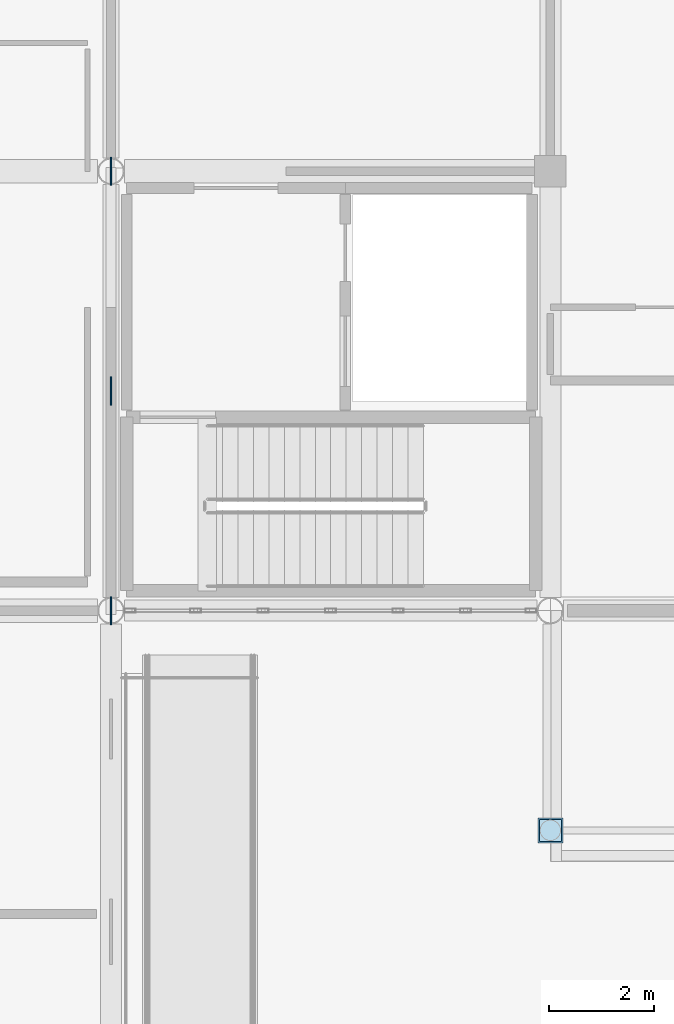
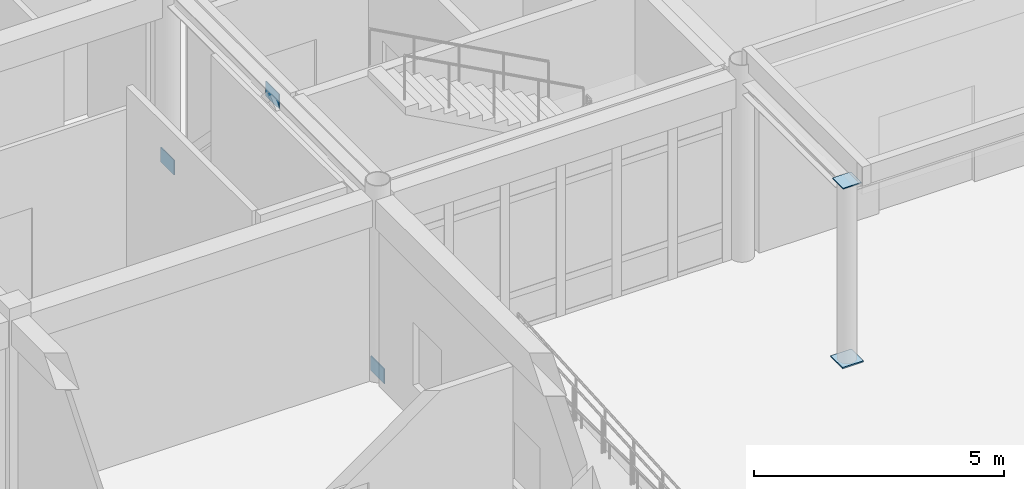
# One storey, part 84 of 138: 5 plates.
"""IFC4 building model written with IfcOpenShell, lengths in metres."""

import ifcopenshell
import ifcopenshell.guid

model = None  # the IFC model being written
_history = None  # IfcOwnerHistory: only IFC2X3 demands one
_inside = {}  # id of a spatial element -> (the spatial element, [elements in it])
_under = {}  # id of a project, library or spatial element -> (it, [spatial elements below it])
_declared = {}  # id of a project -> (the project, [libraries it declares])
_typed = {}  # id of a type object -> (the type object, [elements of that type])
_made_of = {}  # id of a material, layer set ... -> (it, [elements and type objects made of it])


def new_model(schema):
    """Start an empty IFC model of exactly this schema.

    Asked for "IFC4X3", IfcOpenShell would pick the latest addendum, in which some entities
    have other attributes; the version numbers below select the first issue.
    IFC2X3 requires an IfcOwnerHistory on every rooted entity: one is made here for all.
    """
    global model, _history
    if schema == "IFC4X3":
        model = ifcopenshell.file(schema_version=(4, 3, 0, 0))
    else:
        model = ifcopenshell.file(schema=schema)
    _inside.clear()
    _under.clear()
    _declared.clear()
    _typed.clear()
    _made_of.clear()
    _history = None
    if model.schema == "IFC2X3":
        org = make("IfcOrganization", Name="unknown")
        user = make(
            "IfcPersonAndOrganization",
            ThePerson=make("IfcPerson", FamilyName="unknown"),
            TheOrganization=org,
        )
        app = make(
            "IfcApplication",
            ApplicationDeveloper=org,
            Version="unknown",
            ApplicationFullName="unknown",
            ApplicationIdentifier="unknown",
        )
        _history = make(
            "IfcOwnerHistory",
            OwningUser=user,
            OwningApplication=app,
            ChangeAction="ADDED",
            CreationDate=0,
        )
    return model


def make(cls, **values):
    """One entity of the class cls with the attributes given. An attribute that is None is left unset."""
    return model.create_entity(
        cls, **{name: value for name, value in values.items() if value is not None}
    )


def rooted(cls, **values):
    """An entity with a GlobalId (a new one), such as an element, a storey or a relation."""
    return make(cls, GlobalId=ifcopenshell.guid.new(), OwnerHistory=_history, **values)


def si_unit(unit_type, name, prefix=None):
    """IfcSIUnit, for example si_unit("LENGTHUNIT", "METRE", prefix="MILLI")."""
    return make("IfcSIUnit", UnitType=unit_type, Prefix=prefix, Name=name)


def assignment(units):
    """IfcUnitAssignment: the units of a project."""
    return None if units is None else make("IfcUnitAssignment", Units=units)


def point(xyz):
    """IfcCartesianPoint."""
    return None if xyz is None else make("IfcCartesianPoint", Coordinates=xyz)


def direction(xyz):
    """IfcDirection."""
    return None if xyz is None else make("IfcDirection", DirectionRatios=xyz)


def frame(location, z_axis=None, x_axis=None):
    """IfcAxis2Placement3D, a coordinate frame: its origin and axes. An axis left out is left unset."""
    return make(
        "IfcAxis2Placement3D",
        Location=point(location),
        Axis=direction(z_axis),
        RefDirection=direction(x_axis),
    )


def frame_2d(location, x_axis=None):
    """IfcAxis2Placement2D, a coordinate frame in the plane: its origin and x axis."""
    return make(
        "IfcAxis2Placement2D", Location=point(location), RefDirection=direction(x_axis)
    )


def origin():
    """The frame at (0, 0, 0) with its axes left unset."""
    return frame((0.0, 0.0, 0.0))


def origin_2d():
    """The frame at (0, 0) in the plane with its x axis left unset."""
    return frame_2d((0.0, 0.0))


def place(relative_to, where):
    """IfcLocalPlacement: puts the frame where relative to a parent placement (None: the world)."""
    return make(
        "IfcLocalPlacement", PlacementRelTo=relative_to, RelativePlacement=where
    )


def context(
    kind, dimensions, precision=None, world=None, true_north=None, identifier=None
):
    """IfcGeometricRepresentationContext, for example the 3D "Model" context."""
    return make(
        "IfcGeometricRepresentationContext",
        ContextIdentifier=identifier,
        ContextType=kind,
        CoordinateSpaceDimension=dimensions,
        Precision=precision,
        WorldCoordinateSystem=world,
        TrueNorth=true_north,
    )


def subcontext(parent, identifier, kind, view, scale=None):
    """IfcGeometricRepresentationSubContext, for example "Body" below "Model"."""
    return make(
        "IfcGeometricRepresentationSubContext",
        ContextIdentifier=identifier,
        ContextType=kind,
        ParentContext=parent,
        TargetScale=scale,
        TargetView=view,
    )


def project(units=None, contexts=None):
    """IfcProject with its units and contexts."""
    return rooted(
        "IfcProject",
        Name="project",
        RepresentationContexts=contexts,
        UnitsInContext=assignment(units),
    )


def spatial(cls, under=None, at=None, **own):
    """A site, building, storey or space (cls), placed at a placement, below another one or the project."""
    s = rooted(cls, ObjectPlacement=at, **own)
    if under is not None:
        _under.setdefault(under.id(), (under, []))[1].append(s)
    return s


def profile(cls, at=None, kind="AREA", **sizes):
    """A parametric profile (cls). Its sizes go by their IFC names, for example OverallWidth=200.0."""
    return make(cls, ProfileType=kind, Position=at, **sizes)


def rectangle(**sizes):
    """IfcRectangleProfileDef."""
    return profile("IfcRectangleProfileDef", **sizes)


def extrude(swept, where, along, depth):
    """IfcExtrudedAreaSolid: the profile swept, set in the frame where, extruded along a direction by depth."""
    return make(
        "IfcExtrudedAreaSolid",
        SweptArea=swept,
        Position=where,
        ExtrudedDirection=direction(along),
        Depth=depth,
    )


def shape(context_of_items, identifier, shape_type, items):
    """IfcShapeRepresentation: the items that make up one representation, for example the "Body"."""
    return make(
        "IfcShapeRepresentation",
        ContextOfItems=context_of_items,
        RepresentationIdentifier=identifier,
        RepresentationType=shape_type,
        Items=items,
    )


def material(Name=None, Category=None):
    """IfcMaterial."""
    return make("IfcMaterial", Name=Name, Category=Category)


def layer(
    of_material, thickness, ventilated=None, Name=None, Category=None, Priority=None
):
    """IfcMaterialLayer: one layer of a wall or slab, of a material (None: an air gap)."""
    return make(
        "IfcMaterialLayer",
        Material=of_material,
        LayerThickness=thickness,
        IsVentilated=ventilated,
        Name=Name,
        Category=Category,
        Priority=Priority,
    )


def layer_set(layers, Name=None):
    """IfcMaterialLayerSet."""
    return make("IfcMaterialLayerSet", MaterialLayers=layers, LayerSetName=Name)


def made_of(thing, what):
    """Note that an element or type object is made of a material, layer set ...; save() writes the relation."""
    if what is not None:
        _made_of.setdefault(what.id(), (what, []))[1].append(thing)
    return thing


def type_object(cls, material=None, **own):
    """A type object (cls), such as IfcWallType, which elements share."""
    return made_of(rooted(cls, **own), material)


def element(
    cls,
    number,
    at=None,
    inside=None,
    cuts=None,
    type_object=None,
    material=None,
    context=None,
    identifier="Body",
    shape_type=None,
    held_by="IfcProductDefinitionShape",
    body=None,
    shapes=None,
    **own,
):
    """One element of the class cls, such as IfcWall. Its Tag is "e" and its number.

    at: its placement. inside: the storey or other place that contains it. cuts: it is an
    opening in that element (IfcRelVoidsElement). A single representation is given by context,
    identifier, shape_type and body (its items); several are given by shapes. held_by: the class
    of the entity that holds the representations. save() writes the other relations.
    """
    e = rooted(cls, Tag="e%d" % number, ObjectPlacement=at, **own)
    if body is not None:
        shapes = [shape(context, identifier, shape_type, body)]
    if shapes is not None:
        e.Representation = make(held_by, Representations=shapes)
    if inside is not None:
        _inside.setdefault(inside.id(), (inside, []))[1].append(e)
    if cuts is not None:
        rooted(
            "IfcRelVoidsElement", RelatingBuildingElement=cuts, RelatedOpeningElement=e
        )
    if type_object is not None:
        _typed.setdefault(type_object.id(), (type_object, []))[1].append(e)
    return made_of(e, material)


def aggregate(whole, parts):
    """IfcRelAggregates: a whole, such as a stair, and the parts it consists of."""
    return rooted("IfcRelAggregates", RelatingObject=whole, RelatedObjects=parts)


def save(model, path):
    """Write the relations noted so far, then the file.

    IfcRelAggregates (storeys below a building ...), IfcRelContainedInSpatialStructure (elements
    in a storey), IfcRelDefinesByType, IfcRelAssociatesMaterial and IfcRelDeclares: one each for
    every whole, place, type object, material and project.
    """
    for whole, parts in _under.values():
        aggregate(whole, parts)
    for where, things in _inside.values():
        rooted(
            "IfcRelContainedInSpatialStructure",
            RelatedElements=things,
            RelatingStructure=where,
        )
    for kind, things in _typed.values():
        rooted("IfcRelDefinesByType", RelatedObjects=things, RelatingType=kind)
    for what, things in _made_of.values():
        rooted("IfcRelAssociatesMaterial", RelatedObjects=things, RelatingMaterial=what)
    for by, libraries in _declared.values():
        rooted("IfcRelDeclares", RelatingContext=by, RelatedDefinitions=libraries)
    model.write(path)


model = new_model("IFC4")

# Units and contexts
model_context = context("Model", 3, precision=1e-05, world=origin(), true_north=direction((0.0, 1.0)))
body_context = subcontext(model_context, "Body", "Model", "MODEL_VIEW")
ifc_project = project(units=[si_unit("LENGTHUNIT", "METRE"), si_unit("AREAUNIT", "SQUARE_METRE"), si_unit("VOLUMEUNIT", "CUBIC_METRE"), si_unit("PLANEANGLEUNIT", "RADIAN"), si_unit("MASSUNIT", "GRAM", prefix="KILO")], contexts=[model_context])

# Site, building, storey
site_placement = place(None, origin())
site = spatial("IfcSite", under=ifc_project, at=site_placement, CompositionType="ELEMENT")
building_placement = place(site_placement, origin())
building = spatial("IfcBuilding", under=site, at=building_placement, Name="Bramfleet General Hospital", CompositionType="ELEMENT")
storey_placement = place(building_placement, origin())
storey = spatial("IfcBuildingStorey", under=building, at=storey_placement, Name="L00", CompositionType="ELEMENT", Elevation=0.0)

# Plates
ifc_material = material(Name="Steel S355", Category="steel")
ifc_layer_1 = layer(ifc_material, 0.02490234375, Name="PL-BP-420")
ifc_layer_set_1 = layer_set([ifc_layer_1], Name="Steel S355")
plate_type_1 = type_object("IfcPlateType", Name="PL-BP-420", PredefinedType="USERDEFINED", material=ifc_layer_set_1)
plate_1_placement = place(storey_placement, frame((58.800048828125, 12.60009765625, 4.35009765625), z_axis=(0.0, 0.0, 1.0), x_axis=(1.0, 0.0, 0.0)))
element("IfcPlate", 1, at=plate_1_placement, inside=storey, type_object=plate_type_1, Name="Canopy Column Top Cap Plate 1", ObjectType="Base plate", PredefinedType="USERDEFINED", context=body_context, shape_type="SweptSolid", body=[
    extrude(rectangle(XDim=0.419921875, YDim=0.419921875, at=origin_2d()), origin(), (0.0, 0.0, 1.0), 0.02490234375),
])
ifc_layer_2 = layer(ifc_material, 0.030029296875, Name="PL-BP-480")
ifc_layer_set_2 = layer_set([ifc_layer_2], Name="Steel S355")
plate_type_2 = type_object("IfcPlateType", Name="PL-BP-480", PredefinedType="USERDEFINED", material=ifc_layer_set_2)
plate_2_placement = place(storey_placement, frame((58.800048828125, 12.60009765625, 0.0), z_axis=(0.0, 0.0, 1.0), x_axis=(1.0, 0.0, 0.0)))
element("IfcPlate", 2, at=plate_2_placement, inside=storey, type_object=plate_type_2, Name="Canopy Column Base Plate 1", ObjectType="Base plate", PredefinedType="USERDEFINED", context=body_context, shape_type="SweptSolid", body=[
    extrude(rectangle(XDim=0.47998046875, YDim=0.47998046875, at=origin_2d()), origin(), (0.0, 0.0, 1.0), 0.030029296875),
])
ifc_layer_3 = layer(ifc_material, 0.02001953125, Name="PL-GP-540")
ifc_layer_set_3 = layer_set([ifc_layer_3], Name="Steel S355")
plate_type_3 = type_object("IfcPlateType", Name="PL-GP-540", PredefinedType="USERDEFINED", material=ifc_layer_set_3)
for number, where, z_axis, x_axis, name in (
    (3, (50.39990234375, 21.0, 4.1201171875), (0.0, 0.0, 1.0), (1.0, 0.0, 0.0), "L00 Chevron Gusset Plate 1"),
    (4, (50.39990234375, 16.800048828125, -0.0400390625), (0.0, 0.0, 1.0), (1.0, 0.0, 0.0), "L00 Brace Foot Gusset Plate 1A"),
    (5, (50.39990234375, 25.199951171875, -0.0400390625), (0.0, 0.0, 1.0), (1.0, 0.0, 0.0), "L00 Brace Foot Gusset Plate 1B"),
):
    element("IfcPlate", number, at=place(storey_placement, frame(where, z_axis=z_axis, x_axis=x_axis)), inside=storey, type_object=plate_type_3, Name=name, ObjectType="Gusset plate", PredefinedType="USERDEFINED", context=body_context, shape_type="SweptSolid", body=[
        extrude(rectangle(XDim=0.02001953125, YDim=0.5400390625, at=origin_2d()), origin(), (0.0, 0.0, 1.0), 0.360107421875),
    ])

save(model, "model.ifc")
